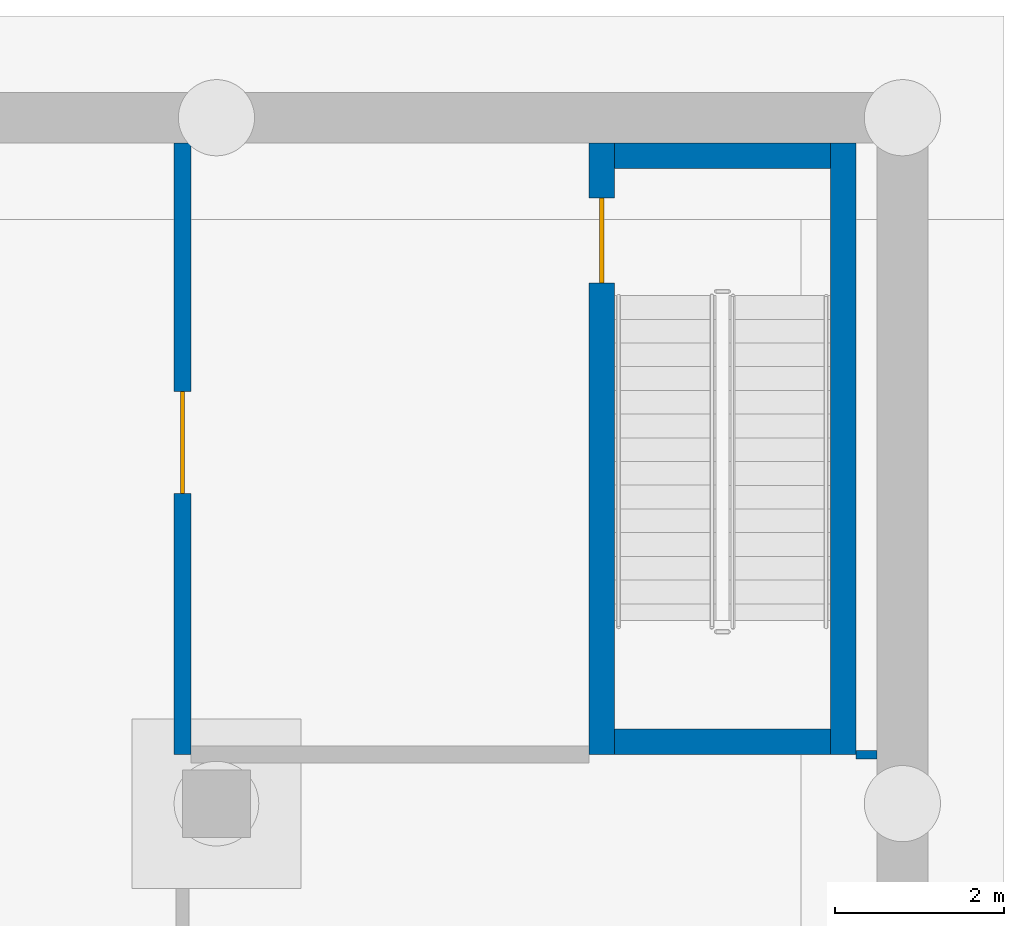
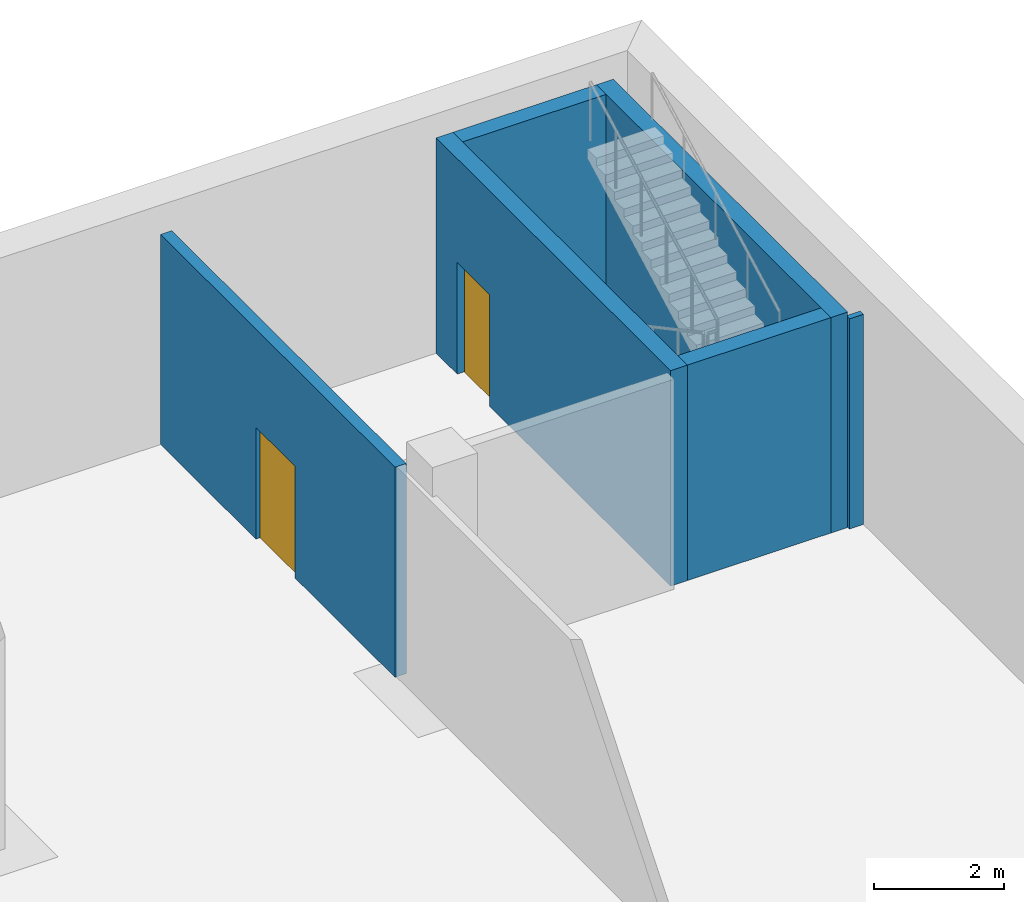
# One storey, part 14 of 23: 6 walls, 2 doors, 2 openings.
"""IFC4 building model written with IfcOpenShell, lengths in metres."""

from ifc_helpers import new_model, si_unit, direction, frame, frame_2d, origin, place, context, subcontext, project, spatial, rectangle, extrude, material, layer, layer_set, type_object, element, fill, save


model = new_model("IFC4")

# Units and contexts
model_context = context("Model", 3, precision=1e-05, world=origin(), true_north=direction((0.0, 1.0)))
body_context = subcontext(model_context, "Body", "Model", "MODEL_VIEW")
ifc_project = project(units=[si_unit("LENGTHUNIT", "METRE"), si_unit("AREAUNIT", "SQUARE_METRE"), si_unit("VOLUMEUNIT", "CUBIC_METRE"), si_unit("PLANEANGLEUNIT", "RADIAN"), si_unit("MASSUNIT", "GRAM", prefix="KILO")], contexts=[model_context])

# Site, building, storey
site_placement = place(None, origin())
site = spatial("IfcSite", under=ifc_project, at=site_placement, CompositionType="ELEMENT")
building_placement = place(site_placement, origin())
building = spatial("IfcBuilding", under=site, at=building_placement, Name="Trine Commons Tower", CompositionType="ELEMENT")
storey_placement = place(building_placement, frame((0.0, 0.0, -9.0)))
storey = spatial("IfcBuildingStorey", under=building, at=storey_placement, Name="B2", CompositionType="ELEMENT", Elevation=-9.0)

# Wall, opening, door
ifc_material_1 = material(Name="Plasterboard on steel stud", Category="steel")
ifc_layer_1 = layer(ifc_material_1, 0.199951171875)
ifc_layer_set_1 = layer_set([ifc_layer_1], Name="Plasterboard on steel stud")
wall_type_1 = type_object("IfcWallType", Name="Fire wall 200 mm, EI 120", PredefinedType="PARTITIONING", material=ifc_layer_set_1)
wall_1_placement = place(storey_placement, frame((130.0, 96.6796875, 0.0), z_axis=(0.0, 0.0, 1.0), x_axis=(0.0, 1.0, 0.0)))
wall_1 = element("IfcWall", 1, at=wall_1_placement, inside=storey, type_object=wall_type_1, Name="Partition B2032", PredefinedType="PARTITIONING", context=body_context, shape_type="SweptSolid", body=[
    extrude(rectangle(XDim=7.22021484375, YDim=0.199951171875, at=frame_2d((3.610107421875, 0.0))), origin(), (0.0, 0.0, 1.0), 3.949951171875),
])
opening_1_placement = place(wall_1_placement, frame((3.085205078125, 0.0, 0.0)))
opening_1 = element("IfcOpeningElement", 2, at=opening_1_placement, cuts=wall_1, Name="Opening D-B216", PredefinedType="OPENING", context=body_context, shape_type="SweptSolid", body=[
    extrude(rectangle(XDim=1.199951171875, YDim=2.10009765625, at=frame_2d((0.60009765625, 1.050048828125))), frame((0.0, 0.10986328125, 0.0), z_axis=(0.0, -1.0, 0.0), x_axis=(1.0, 0.0, 0.0)), (0.0, 0.0, 1.0), 0.219970703125),
])
ifc_material_2 = material(Name="Timber fire door set", Category="wood")
door_type_1 = type_object("IfcDoorType", Name="Single swing door 1200x2100, FD60", OperationType="SINGLE_SWING_LEFT", PredefinedType="DOOR", material=ifc_material_2)
door_1_placement = place(opening_1_placement, origin())
door_1 = element("IfcDoor", 3, at=door_1_placement, inside=storey, type_object=door_type_1, Name="Door D-B216", OperationType="SINGLE_SWING_LEFT", OverallHeight=2.10009765625, OverallWidth=1.199951171875, PredefinedType="DOOR", context=body_context, shape_type="SweptSolid", body=[
    extrude(rectangle(XDim=1.199951171875, YDim=2.10009765625, at=frame_2d((0.60009765625, 1.050048828125))), frame((0.0, 0.02490234375, 0.0), z_axis=(0.0, -1.0, 0.0), x_axis=(1.0, 0.0, 0.0)), (0.0, 0.0, 1.0), 0.050048828125),
])
fill(opening_1, door_1)

# Wall
ifc_layer_2 = layer(ifc_material_1, 0.10009765625)
ifc_layer_set_2 = layer_set([ifc_layer_2], Name="Plasterboard on steel stud")
wall_type_2 = type_object("IfcWallType", Name="Partition wall 100 mm stud, not rated", PredefinedType="PARTITIONING", material=ifc_layer_set_2)
wall_2_placement = place(storey_placement, frame((137.951904296875, 96.679931640625, 0.0), z_axis=(0.0, 0.0, 1.0), x_axis=(1.0, 0.0, 0.0)))
element("IfcWall", 4, at=wall_2_placement, inside=storey, type_object=wall_type_2, Name="Partition B2036", PredefinedType="PARTITIONING", context=body_context, shape_type="SweptSolid", body=[
    extrude(rectangle(XDim=0.248046875, YDim=0.10009765625, at=frame_2d((0.1240234375, 0.0))), origin(), (0.0, 0.0, 1.0), 3.949951171875),
])

# Wall, opening, door
ifc_material_3 = material(Name="Concrete C40/50", Category="concrete")
ifc_layer_3 = layer(ifc_material_3, 0.300048828125)
ifc_layer_set_3 = layer_set([ifc_layer_3], Name="Concrete C40/50")
wall_type_3 = type_object("IfcWallType", Name="RC stair enclosure wall 300 mm, C40/50", PredefinedType="SHEAR", material=ifc_layer_set_3)
wall_3_placement = place(storey_placement, frame((134.949951171875, 103.89990234375, 0.0), z_axis=(0.0, 0.0, 1.0), x_axis=(0.0, -1.0, 0.0)))
wall_3 = element("IfcWall", 5, at=wall_3_placement, inside=storey, type_object=wall_type_3, Name="Stair STB4 enclosure wall B2", PredefinedType="SHEAR", context=body_context, shape_type="SweptSolid", body=[
    extrude(rectangle(XDim=7.219970703125, YDim=0.300048828125, at=frame_2d((3.60986328125, 0.0))), origin(), (0.0, 0.0, 1.0), 4.050048828125),
])
opening_2_placement = place(wall_3_placement, frame((0.64990234375, 0.0, 0.0)))
opening_2 = element("IfcOpeningElement", 6, at=opening_2_placement, cuts=wall_3, Name="Opening D-S10", PredefinedType="OPENING", context=body_context, shape_type="SweptSolid", body=[
    extrude(rectangle(XDim=1.0, YDim=2.10009765625, at=frame_2d((0.5, 1.050048828125))), frame((0.0, 0.159912109375, 0.0), z_axis=(0.0, -1.0, 0.0), x_axis=(1.0, 0.0, 0.0)), (0.0, 0.0, 1.0), 0.320068359375),
])
ifc_material_4 = material(Name="Steel fire door FD90S", Category="steel")
door_type_2 = type_object("IfcDoorType", Name="Fire door 1000 x 2100, FD90S", OperationType="SINGLE_SWING_LEFT", PredefinedType="DOOR", material=ifc_material_4)
door_2_placement = place(opening_2_placement, origin())
door_2 = element("IfcDoor", 7, at=door_2_placement, inside=storey, type_object=door_type_2, Name="Stair STB4 door B2", OperationType="SINGLE_SWING_LEFT", OverallHeight=2.10009765625, OverallWidth=1.0, PredefinedType="DOOR", context=body_context, shape_type="SweptSolid", body=[
    extrude(rectangle(XDim=1.0, YDim=2.10009765625, at=frame_2d((0.5, 1.050048828125))), frame((0.0, 0.02490234375, 0.0), z_axis=(0.0, -1.0, 0.0), x_axis=(1.0, 0.0, 0.0)), (0.0, 0.0, 1.0), 0.050048828125),
])
fill(opening_2, door_2)

# Walls
wall_4_placement = place(storey_placement, frame((137.800048828125, 103.89990234375, 0.0), z_axis=(0.0, 0.0, 1.0), x_axis=(0.0, -1.0, 0.0)))
element("IfcWall", 8, at=wall_4_placement, inside=storey, type_object=wall_type_3, Name="Stair STB4 enclosure wall B2", PredefinedType="SHEAR", context=body_context, shape_type="SweptSolid", body=[
    extrude(rectangle(XDim=7.219970703125, YDim=0.300048828125, at=frame_2d((3.60986328125, 0.0))), origin(), (0.0, 0.0, 1.0), 4.050048828125),
])
for number, where, z_axis, x_axis, name in (
    (9, (135.10009765625, 103.75, 0.0), (0.0, 0.0, 1.0), (1.0, 0.0, 0.0), "Stair STB4 enclosure wall B2"),
    (10, (135.10009765625, 96.830078125, 0.0), (0.0, 0.0, 1.0), (1.0, 0.0, 0.0), "Stair STB4 enclosure wall B2"),
):
    element("IfcWall", number, at=place(storey_placement, frame(where, z_axis=z_axis, x_axis=x_axis)), inside=storey, type_object=wall_type_3, Name=name, PredefinedType="SHEAR", context=body_context, shape_type="SweptSolid", body=[
        extrude(rectangle(XDim=2.5498046875, YDim=0.300048828125, at=frame_2d((1.27490234375, 0.0))), origin(), (0.0, 0.0, 1.0), 4.050048828125),
    ])

save(model, "model.ifc")
